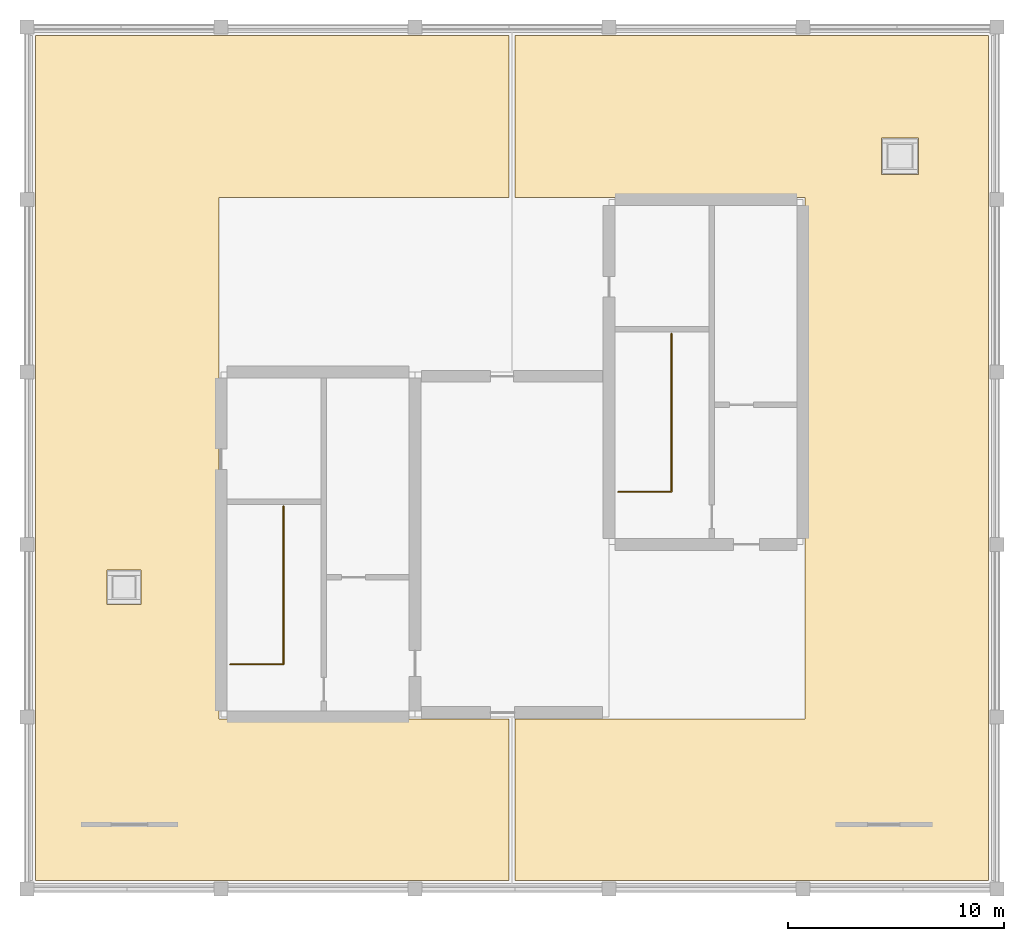
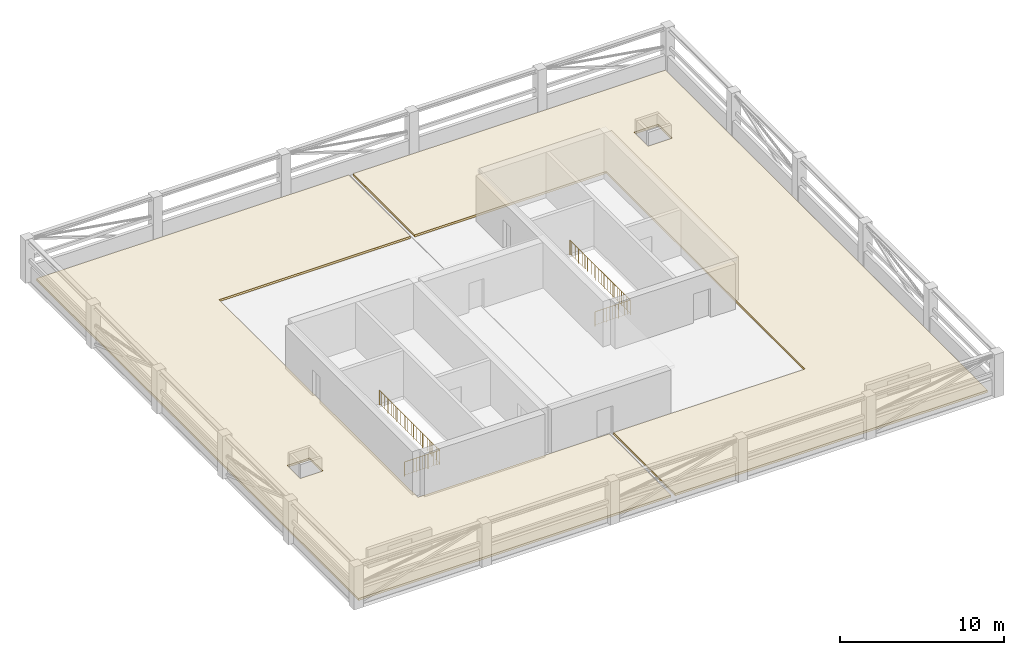
# One storey, part 3 of 3: 2 coverings, 2 railings.
"""IFC4 building model written with IfcOpenShell, lengths in metres."""

from ifc_helpers import new_model, si_unit, direction, frame, origin, origin_2d, place, context, subcontext, project, spatial, polyline, circle, outline, extrude, material, layer, layer_set, type_object, element, save


model = new_model("IFC4")

# Units and contexts
model_context = context("Model", 3, precision=1e-05, world=origin(), true_north=direction((0.0, 1.0)))
body_context = subcontext(model_context, "Body", "Model", "MODEL_VIEW")
ifc_project = project(units=[si_unit("LENGTHUNIT", "METRE"), si_unit("AREAUNIT", "SQUARE_METRE"), si_unit("VOLUMEUNIT", "CUBIC_METRE"), si_unit("PLANEANGLEUNIT", "RADIAN"), si_unit("MASSUNIT", "GRAM", prefix="KILO")], contexts=[model_context])

# Site, building, storey
site_placement = place(None, origin())
site = spatial("IfcSite", under=ifc_project, at=site_placement, CompositionType="ELEMENT")
building_placement = place(site_placement, origin())
building = spatial("IfcBuilding", under=site, at=building_placement, Name="Zaverband Oceanarium and Marine Research Institute", CompositionType="ELEMENT")
storey_placement = place(building_placement, frame((0.0, 0.0, 72.89990234375)))
storey = spatial("IfcBuildingStorey", under=building, at=storey_placement, Name="Roof", CompositionType="ELEMENT", Elevation=72.89990234375)

# Coverings
ifc_material_1 = material(Name="TPO reflective membrane over rigid PIR roof insulation")
ifc_layer_1 = layer(ifc_material_1, 0.159912109375, Name="TPO reflective membrane over rigid PIR roof insulation")
ifc_layer_set_1 = layer_set([ifc_layer_1], Name="TPO reflective membrane over rigid PIR roof insulation")
covering_type = type_object("IfcCoveringType", Name="COV-ROOF-160", PredefinedType="ROOFING", material=ifc_layer_set_1)
covering_1_placement = place(storey_placement, frame((0.0, 0.0, 0.010009765625)))
element("IfcCovering", 1, at=covering_1_placement, inside=storey, type_object=covering_type, Name="Insulated coastal membrane roofing COV-ROOF-160", PredefinedType="ROOFING", context=body_context, shape_type="SweptSolid", body=[
    extrude(outline(polyline([(31.35009765625, 72.39990234375), (9.39990234375, 72.39990234375), (9.39990234375, 111.60009765625), (31.35009765625, 111.60009765625), (31.35009765625, 104.10009765625), (17.89990234375, 104.10009765625), (17.89990234375, 79.89990234375), (31.35009765625, 79.89990234375), (31.35009765625, 72.39990234375)]), holes=[polyline([(12.699951171875, 85.199951171875), (14.300048828125, 85.199951171875), (14.300048828125, 86.800048828125), (12.699951171875, 86.800048828125), (12.699951171875, 85.199951171875)])]), origin(), (0.0, 0.0, 1.0), 0.16015625),
])
covering_2_placement = place(storey_placement, frame((0.0, 0.0, 0.010009765625)))
element("IfcCovering", 2, at=covering_2_placement, inside=storey, type_object=covering_type, Name="Insulated coastal membrane roofing COV-ROOF-160", PredefinedType="ROOFING", context=body_context, shape_type="SweptSolid", body=[
    extrude(outline(polyline([(31.64990234375, 111.60009765625), (53.60009765625, 111.60009765625), (53.60009765625, 72.39990234375), (31.64990234375, 72.39990234375), (31.64990234375, 79.89990234375), (45.10009765625, 79.89990234375), (45.10009765625, 104.10009765625), (31.64990234375, 104.10009765625), (31.64990234375, 111.60009765625)]), holes=[polyline([(48.64990234375, 106.85009765625), (48.64990234375, 105.14990234375), (50.35009765625, 105.14990234375), (50.35009765625, 106.85009765625), (48.64990234375, 106.85009765625)])]), origin(), (0.0, 0.0, 1.0), 0.16015625),
])

# Railings
ifc_material_2 = material(Name="Steel S355", Category="steel")
ifc_layer_2 = layer(ifc_material_2, 0.06005859375, Name="Steel S355")
ifc_layer_set_2 = layer_set([ifc_layer_2], Name="Steel S355")
railing_type = type_object("IfcRailingType", Name="GRD-1100", PredefinedType="BALUSTRADE", material=ifc_layer_set_2)
railing_1_placement = place(storey_placement, frame((18.429931640625, 82.429931640625, 0.0)))
element("IfcRailing", 3, at=railing_1_placement, inside=storey, type_object=railing_type, Name="1100 mm steel post-and-baluster safety guard GRD-1100", PredefinedType="BALUSTRADE", context=body_context, shape_type="SweptSolid", body=[
    extrude(circle(Radius=0.02392578125, at=origin_2d()), frame((0.0, 0.0, 1.076171875), z_axis=(1.0, 0.0, 0.0), x_axis=(0.0, 1.0, 0.0)), (0.0, 0.0, 1.0), 2.469970703125),
    extrude(circle(Radius=0.009033203125, at=origin_2d()), frame((0.0, 0.0, 0.10009765625), z_axis=(1.0, 0.0, 0.0), x_axis=(0.0, 1.0, 0.0)), (0.0, 0.0, 1.0), 2.469970703125),
    extrude(circle(Radius=0.009033203125, at=origin_2d()), frame((0.205810546875, 0.0, 0.10009765625)), (0.0, 0.0, 1.0), 0.951904296875),
    extrude(circle(Radius=0.009033203125, at=origin_2d()), frame((0.41162109375, 0.0, 0.10009765625)), (0.0, 0.0, 1.0), 0.951904296875),
    extrude(circle(Radius=0.009033203125, at=origin_2d()), frame((0.617431640625, 0.0, 0.10009765625)), (0.0, 0.0, 1.0), 0.951904296875),
    extrude(circle(Radius=0.009033203125, at=origin_2d()), frame((0.8232421875, 0.0, 0.10009765625)), (0.0, 0.0, 1.0), 0.951904296875),
    extrude(circle(Radius=0.009033203125, at=origin_2d()), frame((1.029052734375, 0.0, 0.10009765625)), (0.0, 0.0, 1.0), 0.951904296875),
    extrude(circle(Radius=0.009033203125, at=origin_2d()), frame((1.23486328125, 0.0, 0.10009765625)), (0.0, 0.0, 1.0), 0.951904296875),
    extrude(circle(Radius=0.009033203125, at=origin_2d()), frame((1.44091796875, 0.0, 0.10009765625)), (0.0, 0.0, 1.0), 0.951904296875),
    extrude(circle(Radius=0.009033203125, at=origin_2d()), frame((1.646728515625, 0.0, 0.10009765625)), (0.0, 0.0, 1.0), 0.951904296875),
    extrude(circle(Radius=0.009033203125, at=origin_2d()), frame((1.8525390625, 0.0, 0.10009765625)), (0.0, 0.0, 1.0), 0.951904296875),
    extrude(circle(Radius=0.009033203125, at=origin_2d()), frame((2.058349609375, 0.0, 0.10009765625)), (0.0, 0.0, 1.0), 0.951904296875),
    extrude(circle(Radius=0.009033203125, at=origin_2d()), frame((2.26416015625, 0.0, 0.10009765625)), (0.0, 0.0, 1.0), 0.951904296875),
    extrude(circle(Radius=0.02392578125, at=origin_2d()), frame((2.469970703125, 0.0, 1.076171875), z_axis=(0.0, 1.0, 0.0), x_axis=(-1.0, 0.0, 0.0)), (0.0, 0.0, 1.0), 7.340087890625),
    extrude(circle(Radius=0.009033203125, at=origin_2d()), frame((2.469970703125, 0.0, 0.10009765625), z_axis=(0.0, 1.0, 0.0), x_axis=(-1.0, 0.0, 0.0)), (0.0, 0.0, 1.0), 7.340087890625),
    extrude(circle(Radius=0.009033203125, at=origin_2d()), frame((2.469970703125, 0.2158203125, 0.10009765625)), (0.0, 0.0, 1.0), 0.951904296875),
    extrude(circle(Radius=0.009033203125, at=origin_2d()), frame((2.469970703125, 0.431884765625, 0.10009765625)), (0.0, 0.0, 1.0), 0.951904296875),
    extrude(circle(Radius=0.009033203125, at=origin_2d()), frame((2.469970703125, 0.647705078125, 0.10009765625)), (0.0, 0.0, 1.0), 0.951904296875),
    extrude(circle(Radius=0.009033203125, at=origin_2d()), frame((2.469970703125, 0.863525390625, 0.10009765625)), (0.0, 0.0, 1.0), 0.951904296875),
    extrude(circle(Radius=0.009033203125, at=origin_2d()), frame((2.469970703125, 1.079345703125, 0.10009765625)), (0.0, 0.0, 1.0), 0.951904296875),
    extrude(circle(Radius=0.009033203125, at=origin_2d()), frame((2.469970703125, 1.29541015625, 0.10009765625)), (0.0, 0.0, 1.0), 0.951904296875),
    extrude(circle(Radius=0.009033203125, at=origin_2d()), frame((2.469970703125, 1.51123046875, 0.10009765625)), (0.0, 0.0, 1.0), 0.951904296875),
    extrude(circle(Radius=0.009033203125, at=origin_2d()), frame((2.469970703125, 1.72705078125, 0.10009765625)), (0.0, 0.0, 1.0), 0.951904296875),
    extrude(circle(Radius=0.009033203125, at=origin_2d()), frame((2.469970703125, 1.94287109375, 0.10009765625)), (0.0, 0.0, 1.0), 0.951904296875),
    extrude(circle(Radius=0.009033203125, at=origin_2d()), frame((2.469970703125, 2.158935546875, 0.10009765625)), (0.0, 0.0, 1.0), 0.951904296875),
    extrude(circle(Radius=0.009033203125, at=origin_2d()), frame((2.469970703125, 2.374755859375, 0.10009765625)), (0.0, 0.0, 1.0), 0.951904296875),
    extrude(circle(Radius=0.009033203125, at=origin_2d()), frame((2.469970703125, 2.590576171875, 0.10009765625)), (0.0, 0.0, 1.0), 0.951904296875),
    extrude(circle(Radius=0.009033203125, at=origin_2d()), frame((2.469970703125, 2.806396484375, 0.10009765625)), (0.0, 0.0, 1.0), 0.951904296875),
    extrude(circle(Radius=0.009033203125, at=origin_2d()), frame((2.469970703125, 3.0224609375, 0.10009765625)), (0.0, 0.0, 1.0), 0.951904296875),
    extrude(circle(Radius=0.009033203125, at=origin_2d()), frame((2.469970703125, 3.23828125, 0.10009765625)), (0.0, 0.0, 1.0), 0.951904296875),
    extrude(circle(Radius=0.009033203125, at=origin_2d()), frame((2.469970703125, 3.4541015625, 0.10009765625)), (0.0, 0.0, 1.0), 0.951904296875),
    extrude(circle(Radius=0.009033203125, at=origin_2d()), frame((2.469970703125, 3.669921875, 0.10009765625)), (0.0, 0.0, 1.0), 0.951904296875),
    extrude(circle(Radius=0.009033203125, at=origin_2d()), frame((2.469970703125, 3.885986328125, 0.10009765625)), (0.0, 0.0, 1.0), 0.951904296875),
    extrude(circle(Radius=0.009033203125, at=origin_2d()), frame((2.469970703125, 4.101806640625, 0.10009765625)), (0.0, 0.0, 1.0), 0.951904296875),
    extrude(circle(Radius=0.009033203125, at=origin_2d()), frame((2.469970703125, 4.317626953125, 0.10009765625)), (0.0, 0.0, 1.0), 0.951904296875),
    extrude(circle(Radius=0.009033203125, at=origin_2d()), frame((2.469970703125, 4.53369140625, 0.10009765625)), (0.0, 0.0, 1.0), 0.951904296875),
    extrude(circle(Radius=0.009033203125, at=origin_2d()), frame((2.469970703125, 4.74951171875, 0.10009765625)), (0.0, 0.0, 1.0), 0.951904296875),
    extrude(circle(Radius=0.009033203125, at=origin_2d()), frame((2.469970703125, 4.96533203125, 0.10009765625)), (0.0, 0.0, 1.0), 0.951904296875),
    extrude(circle(Radius=0.009033203125, at=origin_2d()), frame((2.469970703125, 5.18115234375, 0.10009765625)), (0.0, 0.0, 1.0), 0.951904296875),
    extrude(circle(Radius=0.009033203125, at=origin_2d()), frame((2.469970703125, 5.397216796875, 0.10009765625)), (0.0, 0.0, 1.0), 0.951904296875),
    extrude(circle(Radius=0.009033203125, at=origin_2d()), frame((2.469970703125, 5.613037109375, 0.10009765625)), (0.0, 0.0, 1.0), 0.951904296875),
    extrude(circle(Radius=0.009033203125, at=origin_2d()), frame((2.469970703125, 5.828857421875, 0.10009765625)), (0.0, 0.0, 1.0), 0.951904296875),
    extrude(circle(Radius=0.009033203125, at=origin_2d()), frame((2.469970703125, 6.044677734375, 0.10009765625)), (0.0, 0.0, 1.0), 0.951904296875),
    extrude(circle(Radius=0.009033203125, at=origin_2d()), frame((2.469970703125, 6.2607421875, 0.10009765625)), (0.0, 0.0, 1.0), 0.951904296875),
    extrude(circle(Radius=0.009033203125, at=origin_2d()), frame((2.469970703125, 6.4765625, 0.10009765625)), (0.0, 0.0, 1.0), 0.951904296875),
    extrude(circle(Radius=0.009033203125, at=origin_2d()), frame((2.469970703125, 6.6923828125, 0.10009765625)), (0.0, 0.0, 1.0), 0.951904296875),
    extrude(circle(Radius=0.009033203125, at=origin_2d()), frame((2.469970703125, 6.908203125, 0.10009765625)), (0.0, 0.0, 1.0), 0.951904296875),
    extrude(circle(Radius=0.009033203125, at=origin_2d()), frame((2.469970703125, 7.124267578125, 0.10009765625)), (0.0, 0.0, 1.0), 0.951904296875),
    extrude(circle(Radius=0.02099609375, at=origin_2d()), origin(), (0.0, 0.0, 1.0), 1.052001953125),
    extrude(circle(Radius=0.02099609375, at=origin_2d()), frame((0.8232421875, 0.0, 0.0)), (0.0, 0.0, 1.0), 1.052001953125),
    extrude(circle(Radius=0.02099609375, at=origin_2d()), frame((1.646728515625, 0.0, 0.0)), (0.0, 0.0, 1.0), 1.052001953125),
    extrude(circle(Radius=0.02099609375, at=origin_2d()), frame((2.469970703125, 0.0, 0.0)), (0.0, 0.0, 1.0), 1.052001953125),
    extrude(circle(Radius=0.02099609375, at=origin_2d()), frame((2.469970703125, 1.048583984375, 0.0)), (0.0, 0.0, 1.0), 1.052001953125),
    extrude(circle(Radius=0.02099609375, at=origin_2d()), frame((2.469970703125, 2.09716796875, 0.0)), (0.0, 0.0, 1.0), 1.052001953125),
    extrude(circle(Radius=0.02099609375, at=origin_2d()), frame((2.469970703125, 3.145751953125, 0.0)), (0.0, 0.0, 1.0), 1.052001953125),
    extrude(circle(Radius=0.02099609375, at=origin_2d()), frame((2.469970703125, 4.1943359375, 0.0)), (0.0, 0.0, 1.0), 1.052001953125),
    extrude(circle(Radius=0.02099609375, at=origin_2d()), frame((2.469970703125, 5.242919921875, 0.0)), (0.0, 0.0, 1.0), 1.052001953125),
    extrude(circle(Radius=0.02099609375, at=origin_2d()), frame((2.469970703125, 6.29150390625, 0.0)), (0.0, 0.0, 1.0), 1.052001953125),
    extrude(circle(Radius=0.02099609375, at=origin_2d()), frame((2.469970703125, 7.340087890625, 0.0)), (0.0, 0.0, 1.0), 1.052001953125),
])
railing_2_placement = place(storey_placement, frame((36.429931640625, 90.429931640625, 0.0)))
element("IfcRailing", 4, at=railing_2_placement, inside=storey, type_object=railing_type, Name="1100 mm steel post-and-baluster safety guard GRD-1100", PredefinedType="BALUSTRADE", context=body_context, shape_type="SweptSolid", body=[
    extrude(circle(Radius=0.02392578125, at=origin_2d()), frame((0.0, 0.0, 1.076171875), z_axis=(1.0, 0.0, 0.0), x_axis=(0.0, 1.0, 0.0)), (0.0, 0.0, 1.0), 2.469970703125),
    extrude(circle(Radius=0.009033203125, at=origin_2d()), frame((0.0, 0.0, 0.10009765625), z_axis=(1.0, 0.0, 0.0), x_axis=(0.0, 1.0, 0.0)), (0.0, 0.0, 1.0), 2.469970703125),
    extrude(circle(Radius=0.009033203125, at=origin_2d()), frame((0.205810546875, 0.0, 0.10009765625)), (0.0, 0.0, 1.0), 0.951904296875),
    extrude(circle(Radius=0.009033203125, at=origin_2d()), frame((0.41162109375, 0.0, 0.10009765625)), (0.0, 0.0, 1.0), 0.951904296875),
    extrude(circle(Radius=0.009033203125, at=origin_2d()), frame((0.617431640625, 0.0, 0.10009765625)), (0.0, 0.0, 1.0), 0.951904296875),
    extrude(circle(Radius=0.009033203125, at=origin_2d()), frame((0.8232421875, 0.0, 0.10009765625)), (0.0, 0.0, 1.0), 0.951904296875),
    extrude(circle(Radius=0.009033203125, at=origin_2d()), frame((1.029052734375, 0.0, 0.10009765625)), (0.0, 0.0, 1.0), 0.951904296875),
    extrude(circle(Radius=0.009033203125, at=origin_2d()), frame((1.23486328125, 0.0, 0.10009765625)), (0.0, 0.0, 1.0), 0.951904296875),
    extrude(circle(Radius=0.009033203125, at=origin_2d()), frame((1.44091796875, 0.0, 0.10009765625)), (0.0, 0.0, 1.0), 0.951904296875),
    extrude(circle(Radius=0.009033203125, at=origin_2d()), frame((1.646728515625, 0.0, 0.10009765625)), (0.0, 0.0, 1.0), 0.951904296875),
    extrude(circle(Radius=0.009033203125, at=origin_2d()), frame((1.8525390625, 0.0, 0.10009765625)), (0.0, 0.0, 1.0), 0.951904296875),
    extrude(circle(Radius=0.009033203125, at=origin_2d()), frame((2.058349609375, 0.0, 0.10009765625)), (0.0, 0.0, 1.0), 0.951904296875),
    extrude(circle(Radius=0.009033203125, at=origin_2d()), frame((2.26416015625, 0.0, 0.10009765625)), (0.0, 0.0, 1.0), 0.951904296875),
    extrude(circle(Radius=0.02392578125, at=origin_2d()), frame((2.469970703125, 0.0, 1.076171875), z_axis=(0.0, 1.0, 0.0), x_axis=(-1.0, 0.0, 0.0)), (0.0, 0.0, 1.0), 7.340087890625),
    extrude(circle(Radius=0.009033203125, at=origin_2d()), frame((2.469970703125, 0.0, 0.10009765625), z_axis=(0.0, 1.0, 0.0), x_axis=(-1.0, 0.0, 0.0)), (0.0, 0.0, 1.0), 7.340087890625),
    extrude(circle(Radius=0.009033203125, at=origin_2d()), frame((2.469970703125, 0.2158203125, 0.10009765625)), (0.0, 0.0, 1.0), 0.951904296875),
    extrude(circle(Radius=0.009033203125, at=origin_2d()), frame((2.469970703125, 0.431884765625, 0.10009765625)), (0.0, 0.0, 1.0), 0.951904296875),
    extrude(circle(Radius=0.009033203125, at=origin_2d()), frame((2.469970703125, 0.647705078125, 0.10009765625)), (0.0, 0.0, 1.0), 0.951904296875),
    extrude(circle(Radius=0.009033203125, at=origin_2d()), frame((2.469970703125, 0.863525390625, 0.10009765625)), (0.0, 0.0, 1.0), 0.951904296875),
    extrude(circle(Radius=0.009033203125, at=origin_2d()), frame((2.469970703125, 1.079345703125, 0.10009765625)), (0.0, 0.0, 1.0), 0.951904296875),
    extrude(circle(Radius=0.009033203125, at=origin_2d()), frame((2.469970703125, 1.29541015625, 0.10009765625)), (0.0, 0.0, 1.0), 0.951904296875),
    extrude(circle(Radius=0.009033203125, at=origin_2d()), frame((2.469970703125, 1.51123046875, 0.10009765625)), (0.0, 0.0, 1.0), 0.951904296875),
    extrude(circle(Radius=0.009033203125, at=origin_2d()), frame((2.469970703125, 1.72705078125, 0.10009765625)), (0.0, 0.0, 1.0), 0.951904296875),
    extrude(circle(Radius=0.009033203125, at=origin_2d()), frame((2.469970703125, 1.94287109375, 0.10009765625)), (0.0, 0.0, 1.0), 0.951904296875),
    extrude(circle(Radius=0.009033203125, at=origin_2d()), frame((2.469970703125, 2.158935546875, 0.10009765625)), (0.0, 0.0, 1.0), 0.951904296875),
    extrude(circle(Radius=0.009033203125, at=origin_2d()), frame((2.469970703125, 2.374755859375, 0.10009765625)), (0.0, 0.0, 1.0), 0.951904296875),
    extrude(circle(Radius=0.009033203125, at=origin_2d()), frame((2.469970703125, 2.590576171875, 0.10009765625)), (0.0, 0.0, 1.0), 0.951904296875),
    extrude(circle(Radius=0.009033203125, at=origin_2d()), frame((2.469970703125, 2.806396484375, 0.10009765625)), (0.0, 0.0, 1.0), 0.951904296875),
    extrude(circle(Radius=0.009033203125, at=origin_2d()), frame((2.469970703125, 3.0224609375, 0.10009765625)), (0.0, 0.0, 1.0), 0.951904296875),
    extrude(circle(Radius=0.009033203125, at=origin_2d()), frame((2.469970703125, 3.23828125, 0.10009765625)), (0.0, 0.0, 1.0), 0.951904296875),
    extrude(circle(Radius=0.009033203125, at=origin_2d()), frame((2.469970703125, 3.4541015625, 0.10009765625)), (0.0, 0.0, 1.0), 0.951904296875),
    extrude(circle(Radius=0.009033203125, at=origin_2d()), frame((2.469970703125, 3.669921875, 0.10009765625)), (0.0, 0.0, 1.0), 0.951904296875),
    extrude(circle(Radius=0.009033203125, at=origin_2d()), frame((2.469970703125, 3.885986328125, 0.10009765625)), (0.0, 0.0, 1.0), 0.951904296875),
    extrude(circle(Radius=0.009033203125, at=origin_2d()), frame((2.469970703125, 4.101806640625, 0.10009765625)), (0.0, 0.0, 1.0), 0.951904296875),
    extrude(circle(Radius=0.009033203125, at=origin_2d()), frame((2.469970703125, 4.317626953125, 0.10009765625)), (0.0, 0.0, 1.0), 0.951904296875),
    extrude(circle(Radius=0.009033203125, at=origin_2d()), frame((2.469970703125, 4.53369140625, 0.10009765625)), (0.0, 0.0, 1.0), 0.951904296875),
    extrude(circle(Radius=0.009033203125, at=origin_2d()), frame((2.469970703125, 4.74951171875, 0.10009765625)), (0.0, 0.0, 1.0), 0.951904296875),
    extrude(circle(Radius=0.009033203125, at=origin_2d()), frame((2.469970703125, 4.96533203125, 0.10009765625)), (0.0, 0.0, 1.0), 0.951904296875),
    extrude(circle(Radius=0.009033203125, at=origin_2d()), frame((2.469970703125, 5.18115234375, 0.10009765625)), (0.0, 0.0, 1.0), 0.951904296875),
    extrude(circle(Radius=0.009033203125, at=origin_2d()), frame((2.469970703125, 5.397216796875, 0.10009765625)), (0.0, 0.0, 1.0), 0.951904296875),
    extrude(circle(Radius=0.009033203125, at=origin_2d()), frame((2.469970703125, 5.613037109375, 0.10009765625)), (0.0, 0.0, 1.0), 0.951904296875),
    extrude(circle(Radius=0.009033203125, at=origin_2d()), frame((2.469970703125, 5.828857421875, 0.10009765625)), (0.0, 0.0, 1.0), 0.951904296875),
    extrude(circle(Radius=0.009033203125, at=origin_2d()), frame((2.469970703125, 6.044677734375, 0.10009765625)), (0.0, 0.0, 1.0), 0.951904296875),
    extrude(circle(Radius=0.009033203125, at=origin_2d()), frame((2.469970703125, 6.2607421875, 0.10009765625)), (0.0, 0.0, 1.0), 0.951904296875),
    extrude(circle(Radius=0.009033203125, at=origin_2d()), frame((2.469970703125, 6.4765625, 0.10009765625)), (0.0, 0.0, 1.0), 0.951904296875),
    extrude(circle(Radius=0.009033203125, at=origin_2d()), frame((2.469970703125, 6.6923828125, 0.10009765625)), (0.0, 0.0, 1.0), 0.951904296875),
    extrude(circle(Radius=0.009033203125, at=origin_2d()), frame((2.469970703125, 6.908203125, 0.10009765625)), (0.0, 0.0, 1.0), 0.951904296875),
    extrude(circle(Radius=0.009033203125, at=origin_2d()), frame((2.469970703125, 7.124267578125, 0.10009765625)), (0.0, 0.0, 1.0), 0.951904296875),
    extrude(circle(Radius=0.02099609375, at=origin_2d()), origin(), (0.0, 0.0, 1.0), 1.052001953125),
    extrude(circle(Radius=0.02099609375, at=origin_2d()), frame((0.8232421875, 0.0, 0.0)), (0.0, 0.0, 1.0), 1.052001953125),
    extrude(circle(Radius=0.02099609375, at=origin_2d()), frame((1.646728515625, 0.0, 0.0)), (0.0, 0.0, 1.0), 1.052001953125),
    extrude(circle(Radius=0.02099609375, at=origin_2d()), frame((2.469970703125, 0.0, 0.0)), (0.0, 0.0, 1.0), 1.052001953125),
    extrude(circle(Radius=0.02099609375, at=origin_2d()), frame((2.469970703125, 1.048583984375, 0.0)), (0.0, 0.0, 1.0), 1.052001953125),
    extrude(circle(Radius=0.02099609375, at=origin_2d()), frame((2.469970703125, 2.09716796875, 0.0)), (0.0, 0.0, 1.0), 1.052001953125),
    extrude(circle(Radius=0.02099609375, at=origin_2d()), frame((2.469970703125, 3.145751953125, 0.0)), (0.0, 0.0, 1.0), 1.052001953125),
    extrude(circle(Radius=0.02099609375, at=origin_2d()), frame((2.469970703125, 4.1943359375, 0.0)), (0.0, 0.0, 1.0), 1.052001953125),
    extrude(circle(Radius=0.02099609375, at=origin_2d()), frame((2.469970703125, 5.242919921875, 0.0)), (0.0, 0.0, 1.0), 1.052001953125),
    extrude(circle(Radius=0.02099609375, at=origin_2d()), frame((2.469970703125, 6.29150390625, 0.0)), (0.0, 0.0, 1.0), 1.052001953125),
    extrude(circle(Radius=0.02099609375, at=origin_2d()), frame((2.469970703125, 7.340087890625, 0.0)), (0.0, 0.0, 1.0), 1.052001953125),
])

save(model, "model.ifc")
